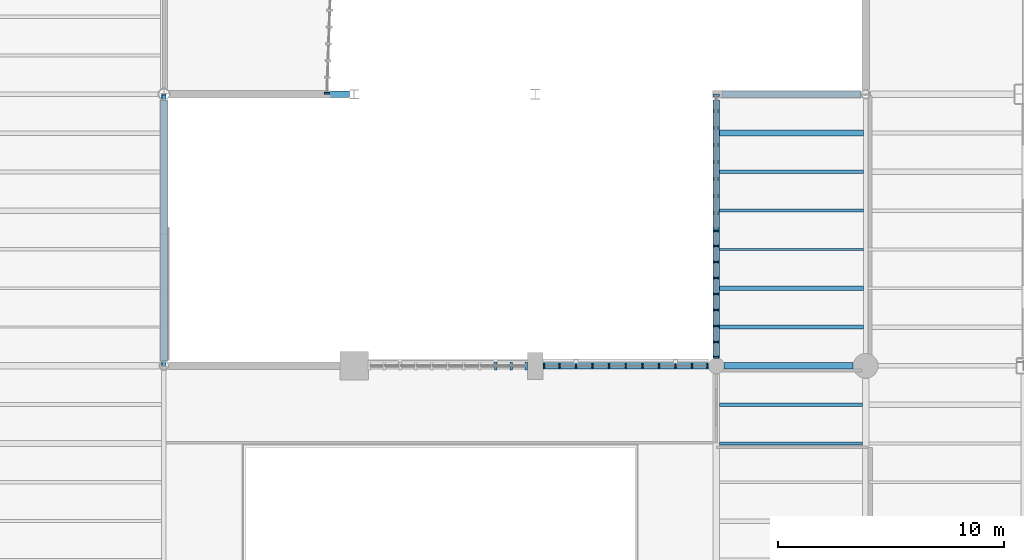
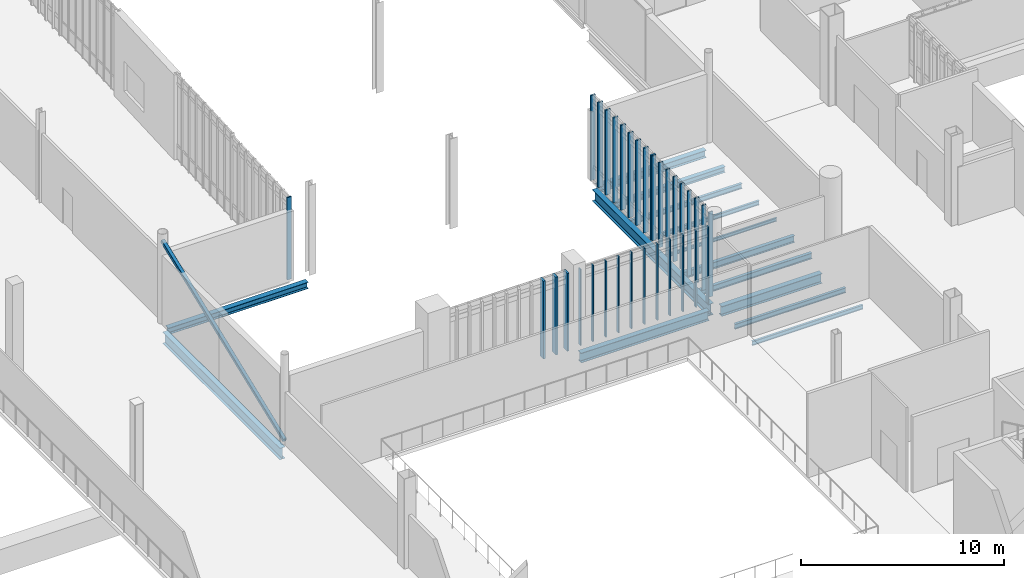
# One storey, part 27 of 127: 34 members, 14 beams, 5 elements without a shape of their own.
"""IFC4 building model written with IfcOpenShell, lengths in metres."""

from ifc_helpers import new_model, si_unit, direction, frame, origin, origin_2d, place, context, subcontext, project, spatial, rectangle, hollow_rectangle, i_section, extrude, material, material_profile, profile_set, type_object, element, aggregate, save


model = new_model("IFC4")

# Units and contexts
model_context = context("Model", 3, precision=1e-05, world=origin(), true_north=direction((0.0, 1.0)))
body_context = subcontext(model_context, "Body", "Model", "MODEL_VIEW")
ifc_project = project(units=[si_unit("LENGTHUNIT", "METRE"), si_unit("AREAUNIT", "SQUARE_METRE"), si_unit("VOLUMEUNIT", "CUBIC_METRE"), si_unit("PLANEANGLEUNIT", "RADIAN"), si_unit("MASSUNIT", "GRAM", prefix="KILO")], contexts=[model_context])

# Site, building, storey
site_placement = place(None, origin())
site = spatial("IfcSite", under=ifc_project, at=site_placement, CompositionType="ELEMENT")
building_placement = place(site_placement, origin())
building = spatial("IfcBuilding", under=site, at=building_placement, Name="Larkvane Passage Sports Hall", CompositionType="ELEMENT")
storey_placement = place(building_placement, frame((0.0, 0.0, 5.39990234375)))
storey = spatial("IfcBuildingStorey", under=building, at=storey_placement, Name="L01", CompositionType="ELEMENT", Elevation=5.39990234375)

# Beams
ifc_material_1 = material(Name="Steel S355JR", Category="steel")
ifc_material_profile_1 = material_profile(ifc_material_1, i_section(OverallWidth=0.300048828125, OverallDepth=0.389892578125, WebThickness=0.010009765625, FlangeThickness=0.01611328125, FilletRadius=0.01806640625, at=origin_2d()), Name="H-390x300x10x16")
ifc_profile_set_1 = profile_set([ifc_material_profile_1], Name="Steel S355JR")
beam_type_1 = type_object("IfcBeamType", Name="BM-STL-H390", PredefinedType="BEAM", material=ifc_profile_set_1)
beam_1_placement = place(storey_placement, frame((93.85400390625, 63.60009765625, -0.614990234375), z_axis=(1.0, 0.0, 0.0), x_axis=(0.0, 1.0, 0.0)))
element("IfcBeam", 1, at=beam_1_placement, inside=storey, type_object=beam_type_1, Name="Girder BM5-X-L01-H-0418", PredefinedType="BEAM", context=body_context, shape_type="SweptSolid", body=[
    extrude(i_section(OverallWidth=0.300048828125, OverallDepth=0.389892578125, WebThickness=0.010009765625, FlangeThickness=0.01611328125, FilletRadius=0.01806640625, at=origin_2d()), origin(), (0.0, 0.0, 1.0), 7.943603515625),
])
ifc_material_profile_2 = material_profile(ifc_material_1, i_section(OverallWidth=0.300048828125, OverallDepth=0.43994140625, WebThickness=0.010986328125, FlangeThickness=0.01806640625, FilletRadius=0.01806640625, at=origin_2d()), Name="H-440x300x11x18")
ifc_profile_set_2 = profile_set([ifc_material_profile_2], Name="Steel S355JR")
beam_type_2 = type_object("IfcBeamType", Name="BM-STL-H440", PredefinedType="BEAM", material=ifc_profile_set_2)
beam_2_placement = place(storey_placement, frame((118.25, 63.60009765625, -0.639892578125), z_axis=(1.0, 0.0, 0.0), x_axis=(0.0, 1.0, 0.0)))
element("IfcBeam", 2, at=beam_2_placement, inside=storey, type_object=beam_type_2, Name="Girder BM5-X-L01-H-0419", PredefinedType="BEAM", context=body_context, shape_type="SweptSolid", body=[
    extrude(i_section(OverallWidth=0.300048828125, OverallDepth=0.43994140625, WebThickness=0.010986328125, FlangeThickness=0.01806640625, FilletRadius=0.01806640625, at=origin_2d()), origin(), (0.0, 0.0, 1.0), 6.146728515625),
])
ifc_material_2 = material(Name="Steel S460N", Category="steel")
ifc_material_profile_3 = material_profile(ifc_material_2, i_section(OverallWidth=0.300048828125, OverallDepth=0.58203125, WebThickness=0.011962890625, FlangeThickness=0.01708984375, FilletRadius=0.02197265625, at=origin_2d()), Name="H-582x300x12x17")
ifc_profile_set_3 = profile_set([ifc_material_profile_3], Name="Steel S460N")
beam_type_3 = type_object("IfcBeamType", Name="BM-STL-H582", PredefinedType="BEAM", material=ifc_profile_set_3)
beam_3_placement = place(storey_placement, frame((110.35009765625, 51.60009765625, -0.7109375), z_axis=(1.0, 0.0, 0.0), x_axis=(0.0, 1.0, 0.0)))
element("IfcBeam", 3, at=beam_3_placement, inside=storey, type_object=beam_type_3, Name="Girder BM5-X-L01-G-0408", PredefinedType="BEAM", context=body_context, shape_type="SweptSolid", body=[
    extrude(i_section(OverallWidth=0.300048828125, OverallDepth=0.58203125, WebThickness=0.011962890625, FlangeThickness=0.01708984375, FilletRadius=0.02197265625, at=origin_2d()), origin(), (0.0, 0.0, 1.0), 7.2998046875),
])
ifc_material_profile_4 = material_profile(ifc_material_2, i_section(OverallWidth=0.300048828125, OverallDepth=0.587890625, WebThickness=0.011962890625, FlangeThickness=0.02001953125, FilletRadius=0.02197265625, at=origin_2d()), Name="H-588x300x12x20")
ifc_profile_set_4 = profile_set([ifc_material_profile_4], Name="Steel S460N")
beam_type_4 = type_object("IfcBeamType", Name="BM-STL-H588", PredefinedType="BEAM", material=ifc_profile_set_4)
beam_4_placement = place(storey_placement, frame((118.35009765625, 51.60009765625, -0.7138671875), z_axis=(1.0, 0.0, 0.0), x_axis=(0.0, 1.0, 0.0)))
element("IfcBeam", 4, at=beam_4_placement, inside=storey, type_object=beam_type_4, Name="Girder BM5-X-L01-G-0409", PredefinedType="BEAM", context=body_context, shape_type="SweptSolid", body=[
    extrude(i_section(OverallWidth=0.300048828125, OverallDepth=0.587890625, WebThickness=0.011962890625, FlangeThickness=0.02001953125, FilletRadius=0.02197265625, at=origin_2d()), origin(), (0.0, 0.0, 1.0), 5.699951171875),
])
ifc_material_profile_5 = material_profile(ifc_material_2, i_section(OverallWidth=0.300048828125, OverallDepth=0.69189453125, WebThickness=0.012939453125, FlangeThickness=0.02001953125, FilletRadius=0.02197265625, at=origin_2d()), Name="H-692x300x13x20")
ifc_profile_set_5 = profile_set([ifc_material_profile_5], Name="Steel S460N")
beam_type_5 = type_object("IfcBeamType", Name="BM-STL-H692", PredefinedType="BEAM", material=ifc_profile_set_5)
beam_5_placement = place(storey_placement, frame((93.60009765625, 51.80322265625, -0.765869140625), z_axis=(0.0, 1.0, 0.0), x_axis=(-1.0, 0.0, 0.0)))
element("IfcBeam", 5, at=beam_5_placement, inside=storey, type_object=beam_type_5, Name="Girder BM5-Y-L01-13-0486", PredefinedType="BEAM", context=body_context, shape_type="SweptSolid", body=[
    extrude(i_section(OverallWidth=0.300048828125, OverallDepth=0.69189453125, WebThickness=0.012939453125, FlangeThickness=0.02001953125, FilletRadius=0.02197265625, at=origin_2d()), origin(), (0.0, 0.0, 1.0), 11.542724609375),
])
ifc_material_profile_6 = material_profile(ifc_material_2, i_section(OverallWidth=0.300048828125, OverallDepth=0.699951171875, WebThickness=0.012939453125, FlangeThickness=0.02392578125, FilletRadius=0.02197265625, at=origin_2d()), Name="H-700x300x13x24")
ifc_profile_set_6 = profile_set([ifc_material_profile_6], Name="Steel S460N")
beam_type_6 = type_object("IfcBeamType", Name="BM-STL-H700", PredefinedType="BEAM", material=ifc_profile_set_6)
beam_6_placement = place(storey_placement, frame((118.0, 51.949951171875, -0.77001953125), z_axis=(0.0, 1.0, 0.0), x_axis=(-1.0, 0.0, 0.0)))
element("IfcBeam", 6, at=beam_6_placement, inside=storey, type_object=beam_type_6, Name="Girder BM5-Y-L01-16-0491", PredefinedType="BEAM", context=body_context, shape_type="SweptSolid", body=[
    extrude(i_section(OverallWidth=0.300048828125, OverallDepth=0.699951171875, WebThickness=0.012939453125, FlangeThickness=0.02392578125, FilletRadius=0.02197265625, at=origin_2d()), origin(), (0.0, 0.0, 1.0), 11.400146484375),
])

# Curtain wall, members
ifc_material_3 = material(Name="Thermally broken aluminium and low-E glazing", Category="aluminium")
curtain_wall_type_1 = type_object("IfcCurtainWallType", Name="CW-CLINIC", PredefinedType="USERDEFINED", material=ifc_material_3)
curtain_wall_1_placement = place(storey_placement, origin())
curtain_wall_1 = element("IfcCurtainWall", 7, at=curtain_wall_1_placement, inside=storey, type_object=curtain_wall_type_1, Name="Curtain wall CW5-L01-047", ObjectType="UNITISED CURTAIN WALL", PredefinedType="USERDEFINED")
ifc_material_4 = material(Name="Anodised aluminium 6063-T6", Category="aluminium")
ifc_material_profile_7 = material_profile(ifc_material_4, rectangle(XDim=0.110107421875, YDim=0.360107421875, at=origin_2d()), Name="ALU-MUL-110x360")
ifc_profile_set_7 = profile_set([ifc_material_profile_7], Name="Anodised aluminium 6063-T6")
member_type_1 = type_object("IfcMemberType", Name="CW-MUL-110x360", PredefinedType="MULLION", material=ifc_profile_set_7)
member_1_placement = place(storey_placement, frame((108.247314453125, 51.60009765625, 0.0), z_axis=(0.0, 0.0, 1.0), x_axis=(1.0, 0.0, 0.0)))
member_1 = element("IfcMember", 8, at=member_1_placement, type_object=member_type_1, Name="CW-05 mullion 9", PredefinedType="MULLION", context=body_context, shape_type="SweptSolid", body=[
    extrude(rectangle(XDim=0.110107421875, YDim=0.360107421875, at=origin_2d()), origin(), (0.0, 0.0, 1.0), 4.674072265625),
])
member_2_placement = place(storey_placement, frame((108.95068359375, 51.60009765625, 0.0), z_axis=(0.0, 0.0, 1.0), x_axis=(1.0, 0.0, 0.0)))
member_2 = element("IfcMember", 9, at=member_2_placement, type_object=member_type_1, Name="CW-05 mullion 10", PredefinedType="MULLION", context=body_context, shape_type="SweptSolid", body=[
    extrude(rectangle(XDim=0.110107421875, YDim=0.360107421875, at=origin_2d()), origin(), (0.0, 0.0, 1.0), 4.674072265625),
])
member_3_placement = place(storey_placement, frame((109.59912109375, 51.60009765625, 0.0), z_axis=(0.0, 0.0, 1.0), x_axis=(1.0, 0.0, 0.0)))
member_3 = element("IfcMember", 10, at=member_3_placement, type_object=member_type_1, Name="CW-05 mullion 11", PredefinedType="MULLION", context=body_context, shape_type="SweptSolid", body=[
    extrude(rectangle(XDim=0.110107421875, YDim=0.360107421875, at=origin_2d()), origin(), (0.0, 0.0, 1.0), 4.674072265625),
])
aggregate(curtain_wall_1, [member_1, member_2, member_3])

curtain_wall_type_2 = type_object("IfcCurtainWallType", Name="CW-UNIT-COURT", PredefinedType="USERDEFINED", material=ifc_material_3)
curtain_wall_2_placement = place(storey_placement, origin())
curtain_wall_2 = element("IfcCurtainWall", 11, at=curtain_wall_2_placement, inside=storey, type_object=curtain_wall_type_2, Name="Curtain wall CW5-L01-048", ObjectType="UNITISED CURTAIN WALL", PredefinedType="USERDEFINED")
ifc_material_profile_8 = material_profile(ifc_material_4, rectangle(XDim=0.06494140625, YDim=0.179931640625, at=origin_2d()), Name="ALU-MUL-65x180")
ifc_profile_set_8 = profile_set([ifc_material_profile_8], Name="Anodised aluminium 6063-T6")
member_type_2 = type_object("IfcMemberType", Name="CW-MUL-65x180", PredefinedType="MULLION", material=ifc_profile_set_8)
member_4_placement = place(storey_placement, frame((110.37841796875, 51.60009765625, 0.0), z_axis=(0.0, 0.0, 1.0), x_axis=(1.0, 0.0, 0.0)))
member_4 = element("IfcMember", 12, at=member_4_placement, type_object=member_type_2, Name="CW-01 mullion 1", PredefinedType="MULLION", context=body_context, shape_type="SweptSolid", body=[
    extrude(rectangle(XDim=0.06494140625, YDim=0.179931640625, at=origin_2d()), origin(), (0.0, 0.0, 1.0), 4.578125),
])
member_5_placement = place(storey_placement, frame((111.076904296875, 51.60009765625, 0.0), z_axis=(0.0, 0.0, 1.0), x_axis=(1.0, 0.0, 0.0)))
member_5 = element("IfcMember", 13, at=member_5_placement, type_object=member_type_2, Name="CW-01 mullion 2", PredefinedType="MULLION", context=body_context, shape_type="SweptSolid", body=[
    extrude(rectangle(XDim=0.06494140625, YDim=0.179931640625, at=origin_2d()), origin(), (0.0, 0.0, 1.0), 4.578125),
])
member_6_placement = place(storey_placement, frame((111.8076171875, 51.60009765625, 0.0), z_axis=(0.0, 0.0, 1.0), x_axis=(1.0, 0.0, 0.0)))
member_6 = element("IfcMember", 14, at=member_6_placement, type_object=member_type_2, Name="CW-01 mullion 3", PredefinedType="MULLION", context=body_context, shape_type="SweptSolid", body=[
    extrude(rectangle(XDim=0.06494140625, YDim=0.179931640625, at=origin_2d()), origin(), (0.0, 0.0, 1.0), 4.578125),
])
member_7_placement = place(storey_placement, frame((112.538330078125, 51.60009765625, 0.0), z_axis=(0.0, 0.0, 1.0), x_axis=(1.0, 0.0, 0.0)))
member_7 = element("IfcMember", 15, at=member_7_placement, type_object=member_type_2, Name="CW-01 mullion 4", PredefinedType="MULLION", context=body_context, shape_type="SweptSolid", body=[
    extrude(rectangle(XDim=0.06494140625, YDim=0.179931640625, at=origin_2d()), origin(), (0.0, 0.0, 1.0), 4.578125),
])
member_8_placement = place(storey_placement, frame((113.269287109375, 51.60009765625, 0.0), z_axis=(0.0, 0.0, 1.0), x_axis=(1.0, 0.0, 0.0)))
member_8 = element("IfcMember", 16, at=member_8_placement, type_object=member_type_2, Name="CW-01 mullion 5", PredefinedType="MULLION", context=body_context, shape_type="SweptSolid", body=[
    extrude(rectangle(XDim=0.06494140625, YDim=0.179931640625, at=origin_2d()), origin(), (0.0, 0.0, 1.0), 4.578125),
])
member_9_placement = place(storey_placement, frame((114.0, 51.60009765625, 0.0), z_axis=(0.0, 0.0, 1.0), x_axis=(1.0, 0.0, 0.0)))
member_9 = element("IfcMember", 17, at=member_9_placement, type_object=member_type_2, Name="CW-01 mullion 6", PredefinedType="MULLION", context=body_context, shape_type="SweptSolid", body=[
    extrude(rectangle(XDim=0.06494140625, YDim=0.179931640625, at=origin_2d()), origin(), (0.0, 0.0, 1.0), 4.578125),
])
member_10_placement = place(storey_placement, frame((114.730712890625, 51.60009765625, 0.0), z_axis=(0.0, 0.0, 1.0), x_axis=(1.0, 0.0, 0.0)))
member_10 = element("IfcMember", 18, at=member_10_placement, type_object=member_type_2, Name="CW-01 mullion 7", PredefinedType="MULLION", context=body_context, shape_type="SweptSolid", body=[
    extrude(rectangle(XDim=0.06494140625, YDim=0.179931640625, at=origin_2d()), origin(), (0.0, 0.0, 1.0), 4.578125),
])
member_11_placement = place(storey_placement, frame((115.461669921875, 51.60009765625, 0.0), z_axis=(0.0, 0.0, 1.0), x_axis=(1.0, 0.0, 0.0)))
member_11 = element("IfcMember", 19, at=member_11_placement, type_object=member_type_2, Name="CW-01 mullion 8", PredefinedType="MULLION", context=body_context, shape_type="SweptSolid", body=[
    extrude(rectangle(XDim=0.06494140625, YDim=0.179931640625, at=origin_2d()), origin(), (0.0, 0.0, 1.0), 4.578125),
])
member_12_placement = place(storey_placement, frame((116.1923828125, 51.60009765625, 0.0), z_axis=(0.0, 0.0, 1.0), x_axis=(1.0, 0.0, 0.0)))
member_12 = element("IfcMember", 20, at=member_12_placement, type_object=member_type_2, Name="CW-01 mullion 9", PredefinedType="MULLION", context=body_context, shape_type="SweptSolid", body=[
    extrude(rectangle(XDim=0.06494140625, YDim=0.179931640625, at=origin_2d()), origin(), (0.0, 0.0, 1.0), 4.578125),
])
member_13_placement = place(storey_placement, frame((116.923095703125, 51.60009765625, 0.0), z_axis=(0.0, 0.0, 1.0), x_axis=(1.0, 0.0, 0.0)))
member_13 = element("IfcMember", 21, at=member_13_placement, type_object=member_type_2, Name="CW-01 mullion 10", PredefinedType="MULLION", context=body_context, shape_type="SweptSolid", body=[
    extrude(rectangle(XDim=0.06494140625, YDim=0.179931640625, at=origin_2d()), origin(), (0.0, 0.0, 1.0), 4.578125),
])
member_14_placement = place(storey_placement, frame((117.62158203125, 51.60009765625, 0.0), z_axis=(0.0, 0.0, 1.0), x_axis=(1.0, 0.0, 0.0)))
member_14 = element("IfcMember", 22, at=member_14_placement, type_object=member_type_2, Name="CW-01 mullion 11", PredefinedType="MULLION", context=body_context, shape_type="SweptSolid", body=[
    extrude(rectangle(XDim=0.06494140625, YDim=0.179931640625, at=origin_2d()), origin(), (0.0, 0.0, 1.0), 4.578125),
])
aggregate(curtain_wall_2, [member_4, member_5, member_6, member_7, member_8, member_9, member_10, member_11, member_12, member_13, member_14])

curtain_wall_type_3 = type_object("IfcCurtainWallType", Name="CW-UNIT-VEIL", PredefinedType="USERDEFINED", material=ifc_material_3)
curtain_wall_3_placement = place(storey_placement, origin())
curtain_wall_3 = element("IfcCurtainWall", 23, at=curtain_wall_3_placement, inside=storey, type_object=curtain_wall_type_3, Name="Curtain wall CW5-L01-049", ObjectType="UNITISED CURTAIN WALL", PredefinedType="USERDEFINED")
ifc_material_profile_9 = material_profile(ifc_material_4, rectangle(XDim=0.074951171875, YDim=0.22509765625, at=origin_2d()), Name="ALU-MUL-75x225")
ifc_profile_set_9 = profile_set([ifc_material_profile_9], Name="Anodised aluminium 6063-T6")
member_type_3 = type_object("IfcMemberType", Name="CW-MUL-75x225", PredefinedType="MULLION", material=ifc_profile_set_9)
member_15_placement = place(storey_placement, frame((118.0, 51.9833984375, 0.0), z_axis=(0.0, 0.0, 1.0), x_axis=(0.0, 1.0, 0.0)))
member_15 = element("IfcMember", 24, at=member_15_placement, type_object=member_type_3, Name="CW-02 mullion 1", PredefinedType="MULLION", context=body_context, shape_type="SweptSolid", body=[
    extrude(rectangle(XDim=0.074951171875, YDim=0.22509765625, at=origin_2d()), origin(), (0.0, 0.0, 1.0), 5.10009765625),
])
member_16_placement = place(storey_placement, frame((118.0, 52.65283203125, 0.0), z_axis=(0.0, 0.0, 1.0), x_axis=(0.0, 1.0, 0.0)))
member_16 = element("IfcMember", 25, at=member_16_placement, type_object=member_type_3, Name="CW-02 mullion 2", PredefinedType="MULLION", context=body_context, shape_type="SweptSolid", body=[
    extrude(rectangle(XDim=0.074951171875, YDim=0.22509765625, at=origin_2d()), origin(), (0.0, 0.0, 1.0), 5.10009765625),
])
member_17_placement = place(storey_placement, frame((118.0, 53.359619140625, 0.0), z_axis=(0.0, 0.0, 1.0), x_axis=(0.0, 1.0, 0.0)))
member_17 = element("IfcMember", 26, at=member_17_placement, type_object=member_type_3, Name="CW-02 mullion 3", PredefinedType="MULLION", context=body_context, shape_type="SweptSolid", body=[
    extrude(rectangle(XDim=0.074951171875, YDim=0.22509765625, at=origin_2d()), origin(), (0.0, 0.0, 1.0), 5.10009765625),
])
member_18_placement = place(storey_placement, frame((118.0, 54.066162109375, 0.0), z_axis=(0.0, 0.0, 1.0), x_axis=(0.0, 1.0, 0.0)))
member_18 = element("IfcMember", 27, at=member_18_placement, type_object=member_type_3, Name="CW-02 mullion 4", PredefinedType="MULLION", context=body_context, shape_type="SweptSolid", body=[
    extrude(rectangle(XDim=0.074951171875, YDim=0.22509765625, at=origin_2d()), origin(), (0.0, 0.0, 1.0), 5.10009765625),
])
member_19_placement = place(storey_placement, frame((118.0, 54.77294921875, 0.0), z_axis=(0.0, 0.0, 1.0), x_axis=(0.0, 1.0, 0.0)))
member_19 = element("IfcMember", 28, at=member_19_placement, type_object=member_type_3, Name="CW-02 mullion 5", PredefinedType="MULLION", context=body_context, shape_type="SweptSolid", body=[
    extrude(rectangle(XDim=0.074951171875, YDim=0.22509765625, at=origin_2d()), origin(), (0.0, 0.0, 1.0), 5.10009765625),
])
member_20_placement = place(storey_placement, frame((118.0, 55.479736328125, 0.0), z_axis=(0.0, 0.0, 1.0), x_axis=(0.0, 1.0, 0.0)))
member_20 = element("IfcMember", 29, at=member_20_placement, type_object=member_type_3, Name="CW-02 mullion 6", PredefinedType="MULLION", context=body_context, shape_type="SweptSolid", body=[
    extrude(rectangle(XDim=0.074951171875, YDim=0.22509765625, at=origin_2d()), origin(), (0.0, 0.0, 1.0), 5.10009765625),
])
member_21_placement = place(storey_placement, frame((118.0, 56.1865234375, 0.0), z_axis=(0.0, 0.0, 1.0), x_axis=(0.0, 1.0, 0.0)))
member_21 = element("IfcMember", 30, at=member_21_placement, type_object=member_type_3, Name="CW-02 mullion 7", PredefinedType="MULLION", context=body_context, shape_type="SweptSolid", body=[
    extrude(rectangle(XDim=0.074951171875, YDim=0.22509765625, at=origin_2d()), origin(), (0.0, 0.0, 1.0), 5.10009765625),
])
member_22_placement = place(storey_placement, frame((118.0, 56.893310546875, 0.0), z_axis=(0.0, 0.0, 1.0), x_axis=(0.0, 1.0, 0.0)))
member_22 = element("IfcMember", 31, at=member_22_placement, type_object=member_type_3, Name="CW-02 mullion 8", PredefinedType="MULLION", context=body_context, shape_type="SweptSolid", body=[
    extrude(rectangle(XDim=0.074951171875, YDim=0.22509765625, at=origin_2d()), origin(), (0.0, 0.0, 1.0), 5.10009765625),
])
member_23_placement = place(storey_placement, frame((118.0, 57.5625, 0.0), z_axis=(0.0, 0.0, 1.0), x_axis=(0.0, 1.0, 0.0)))
member_23 = element("IfcMember", 32, at=member_23_placement, type_object=member_type_3, Name="CW-02 mullion 9", PredefinedType="MULLION", context=body_context, shape_type="SweptSolid", body=[
    extrude(rectangle(XDim=0.074951171875, YDim=0.22509765625, at=origin_2d()), origin(), (0.0, 0.0, 1.0), 5.10009765625),
])
aggregate(curtain_wall_3, [member_15, member_16, member_17, member_18, member_19, member_20, member_21, member_22, member_23])

# Curtain wall, member
curtain_wall_type_4 = type_object("IfcCurtainWallType", Name="CW-STICK-FOYER", PredefinedType="USERDEFINED", material=ifc_material_3)
curtain_wall_4_placement = place(storey_placement, origin())
curtain_wall_4 = element("IfcCurtainWall", 33, at=curtain_wall_4_placement, inside=storey, type_object=curtain_wall_type_4, Name="Curtain wall CW5-L01-046", ObjectType="STICK CURTAIN WALL", PredefinedType="USERDEFINED")
ifc_material_profile_10 = material_profile(ifc_material_4, rectangle(XDim=0.080078125, YDim=0.25, at=origin_2d()), Name="ALU-MUL-80x250")
ifc_profile_set_10 = profile_set([ifc_material_profile_10], Name="Anodised aluminium 6063-T6")
member_type_4 = type_object("IfcMemberType", Name="CW-MUL-80x250", PredefinedType="MULLION", material=ifc_profile_set_10)
member_24_placement = place(storey_placement, frame((100.80126953125, 63.639892578125, 0.0), z_axis=(0.0, 0.0, 1.0), x_axis=(-0.033688920742, -0.999432367206, 0.0)))
member_24 = element("IfcMember", 34, at=member_24_placement, type_object=member_type_4, Name="CW-03 mullion 9", PredefinedType="MULLION", context=body_context, shape_type="SweptSolid", body=[
    extrude(rectangle(XDim=0.080078125, YDim=0.25, at=origin_2d()), origin(), (0.0, 0.0, 1.0), 4.93798828125),
])
aggregate(curtain_wall_4, [member_24])

# Curtain wall, members
curtain_wall_5_placement = place(storey_placement, origin())
curtain_wall_5 = element("IfcCurtainWall", 35, at=curtain_wall_5_placement, inside=storey, type_object=curtain_wall_type_4, Name="Curtain wall CW5-L01-050", ObjectType="STICK CURTAIN WALL", PredefinedType="USERDEFINED")
ifc_material_profile_11 = material_profile(ifc_material_4, rectangle(XDim=0.090087890625, YDim=0.280029296875, at=origin_2d()), Name="ALU-MUL-90x280")
ifc_profile_set_11 = profile_set([ifc_material_profile_11], Name="Anodised aluminium 6063-T6")
member_type_5 = type_object("IfcMemberType", Name="CW-MUL-90x280", PredefinedType="MULLION", material=ifc_profile_set_11)
member_25_placement = place(storey_placement, frame((118.0, 57.64501953125, 0.0), z_axis=(0.0, 0.0, 1.0), x_axis=(0.0, 1.0, 0.0)))
member_25 = element("IfcMember", 36, at=member_25_placement, type_object=member_type_5, Name="CW-03 mullion 1", PredefinedType="MULLION", context=body_context, shape_type="SweptSolid", body=[
    extrude(rectangle(XDim=0.090087890625, YDim=0.280029296875, at=origin_2d()), origin(), (0.0, 0.0, 1.0), 5.10009765625),
])
member_26_placement = place(storey_placement, frame((118.0, 58.35009765625, 0.0), z_axis=(0.0, 0.0, 1.0), x_axis=(0.0, 1.0, 0.0)))
member_26 = element("IfcMember", 37, at=member_26_placement, type_object=member_type_5, Name="CW-03 mullion 2", PredefinedType="MULLION", context=body_context, shape_type="SweptSolid", body=[
    extrude(rectangle(XDim=0.090087890625, YDim=0.280029296875, at=origin_2d()), origin(), (0.0, 0.0, 1.0), 5.10009765625),
])
member_27_placement = place(storey_placement, frame((118.0, 59.10009765625, 0.0), z_axis=(0.0, 0.0, 1.0), x_axis=(0.0, 1.0, 0.0)))
member_27 = element("IfcMember", 38, at=member_27_placement, type_object=member_type_5, Name="CW-03 mullion 3", PredefinedType="MULLION", context=body_context, shape_type="SweptSolid", body=[
    extrude(rectangle(XDim=0.090087890625, YDim=0.280029296875, at=origin_2d()), origin(), (0.0, 0.0, 1.0), 5.10009765625),
])
member_28_placement = place(storey_placement, frame((118.0, 59.85009765625, 0.0), z_axis=(0.0, 0.0, 1.0), x_axis=(0.0, 1.0, 0.0)))
member_28 = element("IfcMember", 39, at=member_28_placement, type_object=member_type_5, Name="CW-03 mullion 4", PredefinedType="MULLION", context=body_context, shape_type="SweptSolid", body=[
    extrude(rectangle(XDim=0.090087890625, YDim=0.280029296875, at=origin_2d()), origin(), (0.0, 0.0, 1.0), 5.10009765625),
])
member_29_placement = place(storey_placement, frame((118.0, 60.60009765625, 0.0), z_axis=(0.0, 0.0, 1.0), x_axis=(0.0, 1.0, 0.0)))
member_29 = element("IfcMember", 40, at=member_29_placement, type_object=member_type_5, Name="CW-03 mullion 5", PredefinedType="MULLION", context=body_context, shape_type="SweptSolid", body=[
    extrude(rectangle(XDim=0.090087890625, YDim=0.280029296875, at=origin_2d()), origin(), (0.0, 0.0, 1.0), 5.10009765625),
])
member_30_placement = place(storey_placement, frame((118.0, 61.35009765625, 0.0), z_axis=(0.0, 0.0, 1.0), x_axis=(0.0, 1.0, 0.0)))
member_30 = element("IfcMember", 41, at=member_30_placement, type_object=member_type_5, Name="CW-03 mullion 6", PredefinedType="MULLION", context=body_context, shape_type="SweptSolid", body=[
    extrude(rectangle(XDim=0.090087890625, YDim=0.280029296875, at=origin_2d()), origin(), (0.0, 0.0, 1.0), 5.10009765625),
])
member_31_placement = place(storey_placement, frame((118.0, 62.10009765625, 0.0), z_axis=(0.0, 0.0, 1.0), x_axis=(0.0, 1.0, 0.0)))
member_31 = element("IfcMember", 42, at=member_31_placement, type_object=member_type_5, Name="CW-03 mullion 7", PredefinedType="MULLION", context=body_context, shape_type="SweptSolid", body=[
    extrude(rectangle(XDim=0.090087890625, YDim=0.280029296875, at=origin_2d()), origin(), (0.0, 0.0, 1.0), 5.10009765625),
])
member_32_placement = place(storey_placement, frame((118.0, 62.85009765625, 0.0), z_axis=(0.0, 0.0, 1.0), x_axis=(0.0, 1.0, 0.0)))
member_32 = element("IfcMember", 43, at=member_32_placement, type_object=member_type_5, Name="CW-03 mullion 8", PredefinedType="MULLION", context=body_context, shape_type="SweptSolid", body=[
    extrude(rectangle(XDim=0.090087890625, YDim=0.280029296875, at=origin_2d()), origin(), (0.0, 0.0, 1.0), 5.10009765625),
])
member_33_placement = place(storey_placement, frame((118.0, 63.554931640625, 0.0), z_axis=(0.0, 0.0, 1.0), x_axis=(0.0, 1.0, 0.0)))
member_33 = element("IfcMember", 44, at=member_33_placement, type_object=member_type_5, Name="CW-03 mullion 9", PredefinedType="MULLION", context=body_context, shape_type="SweptSolid", body=[
    extrude(rectangle(XDim=0.090087890625, YDim=0.280029296875, at=origin_2d()), origin(), (0.0, 0.0, 1.0), 5.10009765625),
])
aggregate(curtain_wall_5, [member_25, member_26, member_27, member_28, member_29, member_30, member_31, member_32, member_33])

# Beams
ifc_material_profile_12 = material_profile(ifc_material_1, i_section(OverallWidth=0.10009765625, OverallDepth=0.199951171875, WebThickness=0.005615234375, FlangeThickness=0.008056640625, FilletRadius=0.008056640625, at=origin_2d()), Name="H-200x100x5.5x8")
ifc_profile_set_12 = profile_set([ifc_material_profile_12], Name="Steel S355JR")
beam_type_7 = type_object("IfcBeamType", Name="JST-STL-H200", PredefinedType="JOIST", material=ifc_profile_set_12)
beam_7_placement = place(storey_placement, frame((118.14990234375, 56.742919921875, -0.52001953125), z_axis=(1.0, 0.0, 0.0), x_axis=(0.0, 1.0, 0.0)))
element("IfcBeam", 45, at=beam_7_placement, inside=storey, type_object=beam_type_7, Name="Composite joist L01 16/G-3", PredefinedType="JOIST", context=body_context, shape_type="SweptSolid", body=[
    extrude(i_section(OverallWidth=0.10009765625, OverallDepth=0.199951171875, WebThickness=0.005615234375, FlangeThickness=0.008056640625, FilletRadius=0.008056640625, at=origin_2d()), origin(), (0.0, 0.0, 1.0), 6.35009765625),
])
ifc_material_profile_13 = material_profile(ifc_material_1, i_section(OverallWidth=0.125, OverallDepth=0.25, WebThickness=0.006103515625, FlangeThickness=0.009033203125, FilletRadius=0.008056640625, at=origin_2d()), Name="H-250x125x6x9")
ifc_profile_set_13 = profile_set([ifc_material_profile_13], Name="Steel S355JR")
beam_type_8 = type_object("IfcBeamType", Name="JST-STL-H250", PredefinedType="JOIST", material=ifc_profile_set_13)
beam_8_placement = place(storey_placement, frame((118.14990234375, 48.17138671875, -0.544921875), z_axis=(1.0, 0.0, 0.0), x_axis=(0.0, 1.0, 0.0)))
element("IfcBeam", 46, at=beam_8_placement, inside=storey, type_object=beam_type_8, Name="Composite joist L01 16/F-5", PredefinedType="JOIST", context=body_context, shape_type="SweptSolid", body=[
    extrude(i_section(OverallWidth=0.125, OverallDepth=0.25, WebThickness=0.006103515625, FlangeThickness=0.009033203125, FilletRadius=0.008056640625, at=origin_2d()), origin(), (0.0, 0.0, 1.0), 6.300048828125),
])
beam_9_placement = place(storey_placement, frame((118.14990234375, 58.45703125, -0.544921875), z_axis=(1.0, 0.0, 0.0), x_axis=(0.0, 1.0, 0.0)))
element("IfcBeam", 47, at=beam_9_placement, inside=storey, type_object=beam_type_8, Name="Composite joist L01 16/G-4", PredefinedType="JOIST", context=body_context, shape_type="SweptSolid", body=[
    extrude(i_section(OverallWidth=0.125, OverallDepth=0.25, WebThickness=0.006103515625, FlangeThickness=0.009033203125, FilletRadius=0.008056640625, at=origin_2d()), origin(), (0.0, 0.0, 1.0), 6.35009765625),
])
ifc_material_profile_14 = material_profile(ifc_material_1, i_section(OverallWidth=0.14990234375, OverallDepth=0.300048828125, WebThickness=0.006591796875, FlangeThickness=0.009033203125, FilletRadius=0.012939453125, at=origin_2d()), Name="H-300x150x6.5x9")
ifc_profile_set_14 = profile_set([ifc_material_profile_14], Name="Steel S355JR")
beam_type_9 = type_object("IfcBeamType", Name="JST-STL-H300", PredefinedType="JOIST", material=ifc_profile_set_14)
beam_10_placement = place(storey_placement, frame((118.14990234375, 49.8857421875, -0.56982421875), z_axis=(1.0, 0.0, 0.0), x_axis=(0.0, 1.0, 0.0)))
element("IfcBeam", 48, at=beam_10_placement, inside=storey, type_object=beam_type_9, Name="Composite joist L01 16/F-6", PredefinedType="JOIST", context=body_context, shape_type="SweptSolid", body=[
    extrude(i_section(OverallWidth=0.14990234375, OverallDepth=0.300048828125, WebThickness=0.006591796875, FlangeThickness=0.009033203125, FilletRadius=0.012939453125, at=origin_2d()), origin(), (0.0, 0.0, 1.0), 6.300048828125),
])
beam_11_placement = place(storey_placement, frame((118.14990234375, 60.17138671875, -0.56982421875), z_axis=(1.0, 0.0, 0.0), x_axis=(0.0, 1.0, 0.0)))
element("IfcBeam", 49, at=beam_11_placement, inside=storey, type_object=beam_type_9, Name="Composite joist L01 16/G-5", PredefinedType="JOIST", context=body_context, shape_type="SweptSolid", body=[
    extrude(i_section(OverallWidth=0.14990234375, OverallDepth=0.300048828125, WebThickness=0.006591796875, FlangeThickness=0.009033203125, FilletRadius=0.012939453125, at=origin_2d()), origin(), (0.0, 0.0, 1.0), 6.35009765625),
])
ifc_material_profile_15 = material_profile(ifc_material_1, i_section(OverallWidth=0.25, OverallDepth=0.340087890625, WebThickness=0.009033203125, FlangeThickness=0.013916015625, FilletRadius=0.012939453125, at=origin_2d()), Name="H-340x250x9x14")
ifc_profile_set_15 = profile_set([ifc_material_profile_15], Name="Steel S355JR")
beam_type_10 = type_object("IfcBeamType", Name="JST-STL-H340", PredefinedType="JOIST", material=ifc_profile_set_15)
beam_12_placement = place(storey_placement, frame((118.14990234375, 61.8857421875, -0.58984375), z_axis=(1.0, 0.0, 0.0), x_axis=(0.0, 1.0, 0.0)))
element("IfcBeam", 50, at=beam_12_placement, inside=storey, type_object=beam_type_10, Name="Composite joist L01 16/G-6", PredefinedType="JOIST", context=body_context, shape_type="SweptSolid", body=[
    extrude(i_section(OverallWidth=0.25, OverallDepth=0.340087890625, WebThickness=0.009033203125, FlangeThickness=0.013916015625, FilletRadius=0.012939453125, at=origin_2d()), origin(), (0.0, 0.0, 1.0), 6.35009765625),
])
ifc_material_profile_16 = material_profile(ifc_material_1, i_section(OverallWidth=0.175048828125, OverallDepth=0.35009765625, WebThickness=0.007080078125, FlangeThickness=0.010986328125, FilletRadius=0.012939453125, at=origin_2d()), Name="H-350x175x7x11")
ifc_profile_set_16 = profile_set([ifc_material_profile_16], Name="Steel S355JR")
beam_type_11 = type_object("IfcBeamType", Name="JST-STL-H350", PredefinedType="JOIST", material=ifc_profile_set_16)
beam_13_placement = place(storey_placement, frame((118.14990234375, 53.314208984375, -0.594970703125), z_axis=(1.0, 0.0, 0.0), x_axis=(0.0, 1.0, 0.0)))
element("IfcBeam", 51, at=beam_13_placement, inside=storey, type_object=beam_type_11, Name="Composite joist L01 16/G-1", PredefinedType="JOIST", context=body_context, shape_type="SweptSolid", body=[
    extrude(i_section(OverallWidth=0.175048828125, OverallDepth=0.35009765625, WebThickness=0.007080078125, FlangeThickness=0.010986328125, FilletRadius=0.012939453125, at=origin_2d()), origin(), (0.0, 0.0, 1.0), 6.35009765625),
])
ifc_material_profile_17 = material_profile(ifc_material_1, i_section(OverallWidth=0.199951171875, OverallDepth=0.39990234375, WebThickness=0.008056640625, FlangeThickness=0.012939453125, FilletRadius=0.012939453125, at=origin_2d()), Name="H-400x200x8x13")
ifc_profile_set_17 = profile_set([ifc_material_profile_17], Name="Steel S355JR")
beam_type_12 = type_object("IfcBeamType", Name="JST-STL-H400", PredefinedType="JOIST", material=ifc_profile_set_17)
beam_14_placement = place(storey_placement, frame((118.14990234375, 55.028564453125, -0.619873046875), z_axis=(1.0, 0.0, 0.0), x_axis=(0.0, 1.0, 0.0)))
element("IfcBeam", 52, at=beam_14_placement, inside=storey, type_object=beam_type_12, Name="Composite joist L01 16/G-2", PredefinedType="JOIST", context=body_context, shape_type="SweptSolid", body=[
    extrude(i_section(OverallWidth=0.199951171875, OverallDepth=0.39990234375, WebThickness=0.008056640625, FlangeThickness=0.012939453125, FilletRadius=0.012939453125, at=origin_2d()), origin(), (0.0, 0.0, 1.0), 6.35009765625),
])

# Member
ifc_material_profile_18 = material_profile(ifc_material_1, hollow_rectangle(XDim=0.199951171875, YDim=0.199951171875, WallThickness=0.009033203125, InnerFilletRadius=0.009033203125, OuterFilletRadius=0.01806640625, at=origin_2d()), Name="SHS-200x200x9")
ifc_profile_set_18 = profile_set([ifc_material_profile_18], Name="Steel S355JR")
member_type_6 = type_object("IfcMemberType", Name="MBR-BR-SHS200", PredefinedType="BRACE", material=ifc_profile_set_18)
member_34_placement = place(storey_placement, frame((93.60009765625, 51.60009765625, 0.150146484375), z_axis=(0.0, 0.931129537334, 0.364688613347), x_axis=(-1.0, 0.0, 0.0)))
element("IfcMember", 53, at=member_34_placement, inside=storey, type_object=member_type_6, Name="Lateral frame brace L01-3", PredefinedType="BRACE", context=body_context, shape_type="SweptSolid", body=[
    extrude(hollow_rectangle(XDim=0.199951171875, YDim=0.199951171875, WallThickness=0.009033203125, InnerFilletRadius=0.009033203125, OuterFilletRadius=0.01806640625, at=origin_2d()), origin(), (0.0, 0.0, 1.0), 12.887451171875),
])

save(model, "model.ifc")
